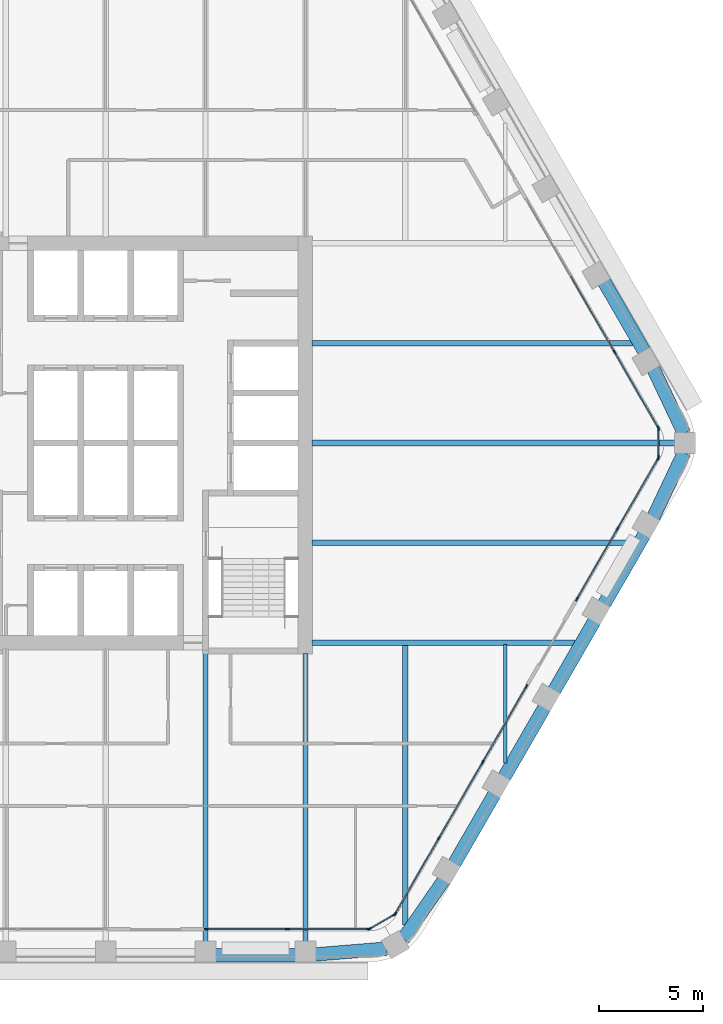
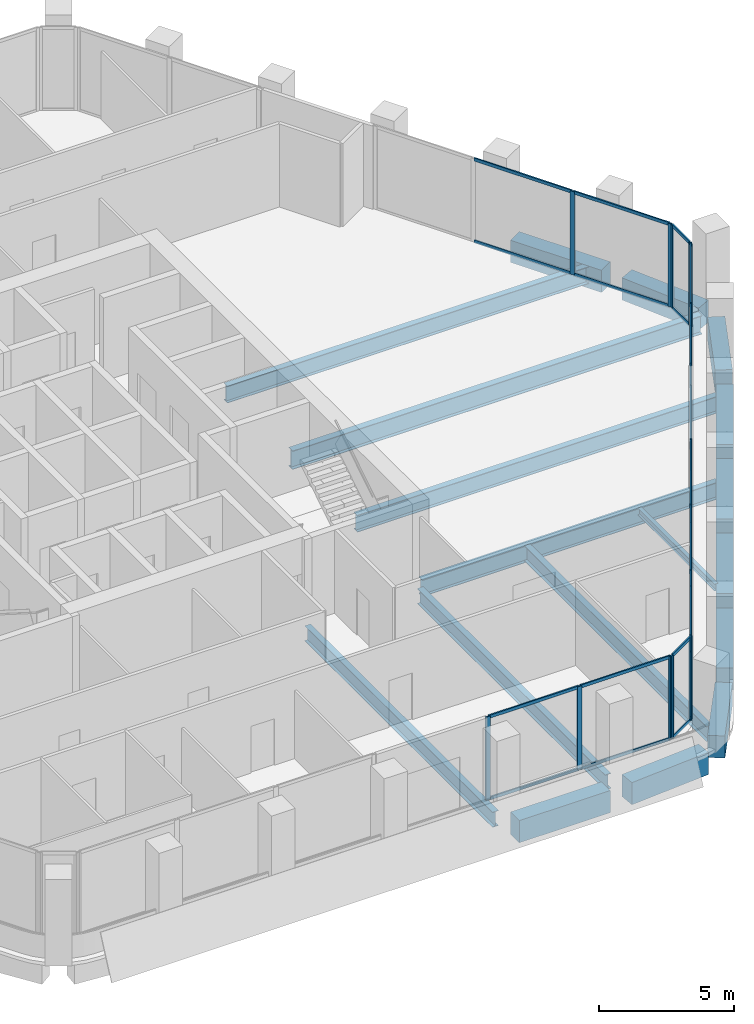
# One storey, part 4 of 15: 38 members, 18 beams, 6 elements without a shape of their own.
"""IFC4 building model written with IfcOpenShell, lengths in metres."""

from ifc_helpers import new_model, si_unit, direction, frame, origin, origin_2d, place, context, subcontext, project, spatial, rectangle, i_section, extrude, material, material_profile, profile_set, type_object, element, aggregate, save


model = new_model("IFC4")

# Units and contexts
model_context = context("Model", 3, precision=1e-05, world=origin(), true_north=direction((0.0, 1.0)))
body_context = subcontext(model_context, "Body", "Model", "MODEL_VIEW")
ifc_project = project(units=[si_unit("LENGTHUNIT", "METRE"), si_unit("AREAUNIT", "SQUARE_METRE"), si_unit("VOLUMEUNIT", "CUBIC_METRE"), si_unit("PLANEANGLEUNIT", "RADIAN"), si_unit("MASSUNIT", "GRAM", prefix="KILO")], contexts=[model_context])

# Site, building, storey
site_placement = place(None, origin())
site = spatial("IfcSite", under=ifc_project, at=site_placement, CompositionType="ELEMENT")
building_placement = place(site_placement, origin())
building = spatial("IfcBuilding", under=site, at=building_placement, Name="Kolab Exchange Tower", CompositionType="ELEMENT")
storey_placement = place(building_placement, frame((0.0, 0.0, 201.199951171875)))
storey = spatial("IfcBuildingStorey", under=building, at=storey_placement, Name="L43", CompositionType="ELEMENT", Elevation=201.199951171875)

# Beams
ifc_material_1 = material(Name="Steel S355", Category="steel")
ifc_material_profile_1 = material_profile(ifc_material_1, i_section(OverallWidth=0.1650390625, OverallDepth=0.31005859375, WebThickness=0.005859375, FlangeThickness=0.009765625, at=origin_2d()), Name="W310X39")
ifc_profile_set_1 = profile_set([ifc_material_profile_1], Name="Steel S355")
beam_type_1 = type_object("IfcBeamType", Name="FLOOR BEAM W310X39", PredefinedType="BEAM", material=ifc_profile_set_1)
beam_1_placement = place(storey_placement, frame((19.199951171875, -15.36767578125, -0.304931640625), z_axis=(0.0, 1.0, 0.0), x_axis=(-1.0, 0.0, 0.0)))
element("IfcBeam", 1, at=beam_1_placement, inside=storey, type_object=beam_type_1, Name="beam/L43/fr/022", PredefinedType="BEAM", context=body_context, shape_type="SweptSolid", body=[
    extrude(i_section(OverallWidth=0.1650390625, OverallDepth=0.31005859375, WebThickness=0.005859375, FlangeThickness=0.009765625, at=origin_2d()), origin(), (0.0, 0.0, 1.0), 5.674072265625),
])
ifc_material_profile_2 = material_profile(ifc_material_1, i_section(OverallWidth=0.25390625, OverallDepth=0.68408203125, WebThickness=0.012451171875, FlangeThickness=0.018798828125, at=origin_2d()), Name="W690X140")
ifc_profile_set_2 = profile_set([ifc_material_profile_2], Name="Steel S355")
beam_type_2 = type_object("IfcBeamType", Name="FLOOR BEAM W690X140", PredefinedType="BEAM", material=ifc_profile_set_2)
for number, where, z_axis, x_axis, name in (
    (2, (4.800048828125, -23.9814453125, -0.491943359375), (0.0, 1.0, 0.0), (-1.0, 0.0, 0.0), "beam/L43/fr/013"),
    (3, (9.60009765625, -23.9814453125, -0.491943359375), (0.0, 1.0, 0.0), (-1.0, 0.0, 0.0), "beam/L43/fr/015"),
):
    element("IfcBeam", number, at=place(storey_placement, frame(where, z_axis=z_axis, x_axis=x_axis)), inside=storey, type_object=beam_type_2, Name=name, PredefinedType="BEAM", context=body_context, shape_type="SweptSolid", body=[
        extrude(i_section(OverallWidth=0.25390625, OverallDepth=0.68408203125, WebThickness=0.012451171875, FlangeThickness=0.018798828125, at=origin_2d()), origin(), (0.0, 0.0, 1.0), 13.871337890625),
    ])
beam_2_placement = place(storey_placement, frame((14.39990234375, -23.15576171875, -0.491943359375), z_axis=(0.0, 1.0, 0.0), x_axis=(-1.0, 0.0, 0.0)))
element("IfcBeam", 4, at=beam_2_placement, inside=storey, type_object=beam_type_2, Name="beam/L43/fr/020", PredefinedType="BEAM", context=body_context, shape_type="SweptSolid", body=[
    extrude(i_section(OverallWidth=0.25390625, OverallDepth=0.68408203125, WebThickness=0.012451171875, FlangeThickness=0.018798828125, at=origin_2d()), origin(), (0.0, 0.0, 1.0), 13.462158203125),
])
ifc_material_profile_3 = material_profile(ifc_material_1, i_section(OverallWidth=0.26708984375, OverallDepth=0.761962890625, WebThickness=0.014404296875, FlangeThickness=0.021484375, at=origin_2d()), Name="W760X173")
ifc_profile_set_3 = profile_set([ifc_material_profile_3], Name="Steel S355")
beam_type_3 = type_object("IfcBeamType", Name="FLOOR BEAM W760X173", PredefinedType="BEAM", material=ifc_profile_set_3)
for number, where, z_axis, x_axis, name in (
    (5, (9.909912109375, -4.800048828125, -0.531005859375), (1.0, 0.0, 0.0), (0.0, 1.0, 0.0), "beam/L43/fr/017"),
    (6, (9.909912109375, 4.800048828125, -0.531005859375), (1.0, 0.0, 0.0), (0.0, 1.0, 0.0), "beam/L43/fr/019"),
):
    element("IfcBeam", number, at=place(storey_placement, frame(where, z_axis=z_axis, x_axis=x_axis)), inside=storey, type_object=beam_type_3, Name=name, PredefinedType="BEAM", context=body_context, shape_type="SweptSolid", body=[
        extrude(i_section(OverallWidth=0.26708984375, OverallDepth=0.761962890625, WebThickness=0.014404296875, FlangeThickness=0.021484375, at=origin_2d()), origin(), (0.0, 0.0, 1.0), 15.408203125),
    ])
ifc_material_profile_4 = material_profile(ifc_material_1, i_section(OverallWidth=0.2919921875, OverallDepth=0.840087890625, WebThickness=0.0146484375, FlangeThickness=0.021728515625, at=origin_2d()), Name="W840X193")
ifc_profile_set_4 = profile_set([ifc_material_profile_4], Name="Steel S355")
beam_type_4 = type_object("IfcBeamType", Name="FLOOR BEAM W840X193", PredefinedType="BEAM", material=ifc_profile_set_4)
beam_3_placement = place(storey_placement, frame((9.909912109375, 0.0, -0.570068359375), z_axis=(1.0, 0.0, 0.0), x_axis=(0.0, 1.0, 0.0)))
element("IfcBeam", 7, at=beam_3_placement, inside=storey, type_object=beam_type_4, Name="beam/L43/fr/018", PredefinedType="BEAM", context=body_context, shape_type="SweptSolid", body=[
    extrude(i_section(OverallWidth=0.2919921875, OverallDepth=0.840087890625, WebThickness=0.0146484375, FlangeThickness=0.021728515625, at=origin_2d()), origin(), (0.0, 0.0, 1.0), 17.466064453125),
])
ifc_material_profile_5 = material_profile(ifc_material_1, i_section(OverallWidth=0.26708984375, OverallDepth=0.761962890625, WebThickness=0.014404296875, FlangeThickness=0.021484375, at=origin_2d()), Name="W760X173")
ifc_profile_set_5 = profile_set([ifc_material_profile_5], Name="Steel S355")
beam_type_5 = type_object("IfcBeamType", Name="FLOOR GIRDER W760X173", PredefinedType="BEAM", material=ifc_profile_set_5)
beam_4_placement = place(storey_placement, frame((9.909912109375, -9.60009765625, -0.531005859375), z_axis=(1.0, 0.0, 0.0), x_axis=(0.0, 1.0, 0.0)))
element("IfcBeam", 8, at=beam_4_placement, inside=storey, type_object=beam_type_5, Name="beam/L43/gd/002", PredefinedType="BEAM", context=body_context, shape_type="SweptSolid", body=[
    extrude(i_section(OverallWidth=0.26708984375, OverallDepth=0.761962890625, WebThickness=0.014404296875, FlangeThickness=0.021484375, at=origin_2d()), origin(), (0.0, 0.0, 1.0), 12.636962890625),
])
ifc_material_2 = material(Name="Concrete C60/75", Category="concrete")
ifc_material_profile_6 = material_profile(ifc_material_2, rectangle(XDim=0.64990234375, YDim=1.0, at=origin_2d()), Name="RC650X1000")
ifc_profile_set_6 = profile_set([ifc_material_profile_6], Name="Concrete C60/75")
beam_type_6 = type_object("IfcBeamType", Name="SPANDREL BEAM 650X1000 C60/75", PredefinedType="BEAM", material=ifc_profile_set_6)
beam_5_placement = place(storey_placement, frame((23.948486328125, 7.7529296875, -0.64990234375), z_axis=(0.499996613652, -0.866027358884, 0.0), x_axis=(0.866027358884, 0.499996613652, 0.0)))
element("IfcBeam", 9, at=beam_5_placement, inside=storey, type_object=beam_type_6, Name="beam/L43/sp/F2-05", PredefinedType="BEAM", context=body_context, shape_type="SweptSolid", body=[
    extrude(rectangle(XDim=0.64990234375, YDim=1.0, at=origin_2d()), origin(), (0.0, 0.0, 1.0), 3.8798828125),
])
for number, where, z_axis, x_axis, name in (
    (10, (26.316162109375, 3.5771484375, -0.64990234375), (0.428177731975, -0.903694544545, 0.0), (0.903694544545, 0.428177731975, 0.0), "beam/L43/sp/F2-06"),
    (11, (27.791259765625, -0.4638671875, -0.64990234375), (-0.428177731975, -0.903694544545, 0.0), (0.903694544545, -0.428177731975, 0.0), "beam/L43/sp/F3-01"),
):
    element("IfcBeam", number, at=place(storey_placement, frame(where, z_axis=z_axis, x_axis=x_axis)), inside=storey, type_object=beam_type_6, Name=name, PredefinedType="BEAM", context=body_context, shape_type="SweptSolid", body=[
        extrude(rectangle(XDim=0.64990234375, YDim=1.0, at=origin_2d()), origin(), (0.0, 0.0, 1.0), 3.445068359375),
    ])
for number, where, z_axis, x_axis, name in (
    (12, (25.888427734375, -4.392822265625, -0.64990234375), (-0.499996613652, -0.866027358884, 0.0), (0.866027358884, -0.499996613652, 0.0), "beam/L43/sp/F3-02"),
    (13, (23.488525390625, -8.5498046875, -0.64990234375), (-0.499996613652, -0.866027358884, 0.0), (0.866027358884, -0.499996613652, 0.0), "beam/L43/sp/F3-03"),
):
    element("IfcBeam", number, at=place(storey_placement, frame(where, z_axis=z_axis, x_axis=x_axis)), inside=storey, type_object=beam_type_6, Name=name, PredefinedType="BEAM", context=body_context, shape_type="SweptSolid", body=[
        extrude(rectangle(XDim=0.64990234375, YDim=1.0, at=origin_2d()), origin(), (0.0, 0.0, 1.0), 3.8798828125),
    ])
beam_6_placement = place(storey_placement, frame((21.088623046875, -12.70654296875, -0.64990234375), z_axis=(-0.50001655835, -0.866015843605, 0.0), x_axis=(0.866015843605, -0.50001655835, 0.0)))
element("IfcBeam", 14, at=beam_6_placement, inside=storey, type_object=beam_type_6, Name="beam/L43/sp/F3-04", PredefinedType="BEAM", context=body_context, shape_type="SweptSolid", body=[
    extrude(rectangle(XDim=0.64990234375, YDim=1.0, at=origin_2d()), origin(), (0.0, 0.0, 1.0), 3.880126953125),
])
beam_7_placement = place(storey_placement, frame((18.6884765625, -16.863525390625, -0.64990234375), z_axis=(-0.499996613652, -0.866027358884, 0.0), x_axis=(0.866027358884, -0.499996613652, 0.0)))
element("IfcBeam", 15, at=beam_7_placement, inside=storey, type_object=beam_type_6, Name="beam/L43/sp/F3-05", PredefinedType="BEAM", context=body_context, shape_type="SweptSolid", body=[
    extrude(rectangle(XDim=0.64990234375, YDim=1.0, at=origin_2d()), origin(), (0.0, 0.0, 1.0), 3.8798828125),
])
for number, where, z_axis, x_axis, name in (
    (16, (16.256103515625, -21.001953125, -0.64990234375), (-0.568572281073, -0.822633309073, 0.0), (0.822633309073, -0.568572281073, 0.0), "beam/L43/sp/F3-06"),
    (17, (13.493896484375, -24.2998046875, -0.64990234375), (-0.996708497182, -0.081068931445, 0.0), (0.081068931445, -0.996708497182, 0.0), "beam/L43/sp/F4-01"),
):
    element("IfcBeam", number, at=place(storey_placement, frame(where, z_axis=z_axis, x_axis=x_axis)), inside=storey, type_object=beam_type_6, Name=name, PredefinedType="BEAM", context=body_context, shape_type="SweptSolid", body=[
        extrude(rectangle(XDim=0.64990234375, YDim=1.0, at=origin_2d()), origin(), (0.0, 0.0, 1.0), 3.445068359375),
    ])
beam_8_placement = place(storey_placement, frame((9.139892578125, -24.616455078125, -0.64990234375), z_axis=(-1.0, 0.0, 0.0), x_axis=(0.0, -1.0, 0.0)))
element("IfcBeam", 18, at=beam_8_placement, inside=storey, type_object=beam_type_6, Name="beam/L43/sp/F4-02", PredefinedType="BEAM", context=body_context, shape_type="SweptSolid", body=[
    extrude(rectangle(XDim=0.64990234375, YDim=1.0, at=origin_2d()), origin(), (0.0, 0.0, 1.0), 3.8798828125),
])

# Curtain wall, members
ifc_material_3 = material(Name="Aluminium EN AW-6063 T6", Category="aluminium")
curtain_wall_type = type_object("IfcCurtainWallType", Name="UNITISED UPPER MID ZONE CURTAIN WALL", PredefinedType="NOTDEFINED", material=ifc_material_3)
curtain_wall_1_placement = place(storey_placement, origin())
curtain_wall_1 = element("IfcCurtainWall", 19, at=curtain_wall_1_placement, inside=storey, type_object=curtain_wall_type, Name="cw/L43/F2-2", PredefinedType="NOTDEFINED")
ifc_material_profile_7 = material_profile(ifc_material_3, rectangle(XDim=0.06005859375, YDim=0.199951171875, at=origin_2d()), Name="RECT 60X200")
ifc_profile_set_7 = profile_set([ifc_material_profile_7], Name="Aluminium EN AW-6063 T6")
member_type_1 = type_object("IfcMemberType", Name="UNITISED UPPER MID ZONE MULLION 60 X 200", PredefinedType="MULLION", material=ifc_profile_set_7)
member_1_placement = place(storey_placement, frame((24.454345703125, 4.366943359375, 0.0), z_axis=(0.0, 0.0, 1.0), x_axis=(0.866025427826, 0.499999958358, 0.0)))
member_1 = element("IfcMember", 20, at=member_1_placement, type_object=member_type_1, Name="CW3 mullion 3", PredefinedType="MULLION", context=body_context, shape_type="SweptSolid", body=[
    extrude(rectangle(XDim=0.06005859375, YDim=0.199951171875, at=origin_2d()), origin(), (0.0, 0.0, 1.0), 3.75),
])
member_2_placement = place(storey_placement, frame((26.550537109375, 0.736083984375, 0.0), z_axis=(0.0, 0.0, 1.0), x_axis=(0.866025427826, 0.499999958358, 0.0)))
member_2 = element("IfcMember", 21, at=member_2_placement, type_object=member_type_1, Name="CW3 mullion 4", PredefinedType="MULLION", context=body_context, shape_type="SweptSolid", body=[
    extrude(rectangle(XDim=0.06005859375, YDim=0.199951171875, at=origin_2d()), origin(), (0.0, 0.0, 1.0), 3.75),
])

curtain_wall_2_placement = place(storey_placement, origin())
curtain_wall_2 = element("IfcCurtainWall", 22, at=curtain_wall_2_placement, inside=storey, type_object=curtain_wall_type, Name="cw/L43/F3-1", PredefinedType="NOTDEFINED")
member_3_placement = place(storey_placement, frame((26.550537109375, -0.736083984375, 0.0), z_axis=(0.0, 0.0, 1.0), x_axis=(0.866025440524, -0.499999936366, 0.0)))
member_3 = element("IfcMember", 23, at=member_3_placement, type_object=member_type_1, Name="CW3 mullion 1", PredefinedType="MULLION", context=body_context, shape_type="SweptSolid", body=[
    extrude(rectangle(XDim=0.06005859375, YDim=0.199951171875, at=origin_2d()), origin(), (0.0, 0.0, 1.0), 3.75),
])
member_4_placement = place(storey_placement, frame((24.5986328125, -4.116943359375, 0.0), z_axis=(0.0, 0.0, 1.0), x_axis=(0.866025440524, -0.499999936366, 0.0)))
member_4 = element("IfcMember", 24, at=member_4_placement, type_object=member_type_1, Name="CW3 mullion 2", PredefinedType="MULLION", context=body_context, shape_type="SweptSolid", body=[
    extrude(rectangle(XDim=0.06005859375, YDim=0.199951171875, at=origin_2d()), origin(), (0.0, 0.0, 1.0), 3.75),
])
member_5_placement = place(storey_placement, frame((22.646728515625, -7.497802734375, 0.0), z_axis=(0.0, 0.0, 1.0), x_axis=(0.866025440524, -0.499999936366, 0.0)))
member_5 = element("IfcMember", 25, at=member_5_placement, type_object=member_type_1, Name="CW3 mullion 3", PredefinedType="MULLION", context=body_context, shape_type="SweptSolid", body=[
    extrude(rectangle(XDim=0.06005859375, YDim=0.199951171875, at=origin_2d()), origin(), (0.0, 0.0, 1.0), 3.75),
])

curtain_wall_3_placement = place(storey_placement, origin())
curtain_wall_3 = element("IfcCurtainWall", 26, at=curtain_wall_3_placement, inside=storey, type_object=curtain_wall_type, Name="cw/L43/F3-2", PredefinedType="NOTDEFINED")
member_6_placement = place(storey_placement, frame((20.216796875, -11.706787109375, 0.0), z_axis=(0.0, 0.0, 1.0), x_axis=(0.866025393644, -0.500000017564, 0.0)))
member_6 = element("IfcMember", 27, at=member_6_placement, type_object=member_type_1, Name="CW3 mullion 1", PredefinedType="MULLION", context=body_context, shape_type="SweptSolid", body=[
    extrude(rectangle(XDim=0.06005859375, YDim=0.199951171875, at=origin_2d()), origin(), (0.0, 0.0, 1.0), 3.75),
])
member_7_placement = place(storey_placement, frame((18.120361328125, -15.337646484375, 0.0), z_axis=(0.0, 0.0, 1.0), x_axis=(0.866025393644, -0.500000017564, 0.0)))
member_7 = element("IfcMember", 28, at=member_7_placement, type_object=member_type_1, Name="CW3 mullion 2", PredefinedType="MULLION", context=body_context, shape_type="SweptSolid", body=[
    extrude(rectangle(XDim=0.06005859375, YDim=0.199951171875, at=origin_2d()), origin(), (0.0, 0.0, 1.0), 3.75),
])
member_8_placement = place(storey_placement, frame((16.009033203125, -18.99462890625, 0.0), z_axis=(0.0, 0.0, 1.0), x_axis=(0.866025393644, -0.500000017564, 0.0)))
member_8 = element("IfcMember", 29, at=member_8_placement, type_object=member_type_1, Name="CW3 mullion 3", PredefinedType="MULLION", context=body_context, shape_type="SweptSolid", body=[
    extrude(rectangle(XDim=0.06005859375, YDim=0.199951171875, at=origin_2d()), origin(), (0.0, 0.0, 1.0), 3.75),
])
member_9_placement = place(storey_placement, frame((13.91259765625, -22.62548828125, 0.0), z_axis=(0.0, 0.0, 1.0), x_axis=(0.866025393644, -0.500000017564, 0.0)))
member_9 = element("IfcMember", 30, at=member_9_placement, type_object=member_type_1, Name="CW3 mullion 4", PredefinedType="MULLION", context=body_context, shape_type="SweptSolid", body=[
    extrude(rectangle(XDim=0.06005859375, YDim=0.199951171875, at=origin_2d()), origin(), (0.0, 0.0, 1.0), 3.75),
])

curtain_wall_4_placement = place(storey_placement, origin())
curtain_wall_4 = element("IfcCurtainWall", 31, at=curtain_wall_4_placement, inside=storey, type_object=curtain_wall_type, Name="cw/L43/F4-1", PredefinedType="NOTDEFINED")
member_10_placement = place(storey_placement, frame((12.637939453125, -23.361572265625, 0.0), z_axis=(0.0, 0.0, 1.0), x_axis=(0.0, -1.0, 0.0)))
member_10 = element("IfcMember", 32, at=member_10_placement, type_object=member_type_1, Name="CW3 mullion 1", PredefinedType="MULLION", context=body_context, shape_type="SweptSolid", body=[
    extrude(rectangle(XDim=0.06005859375, YDim=0.199951171875, at=origin_2d()), origin(), (0.0, 0.0, 1.0), 3.75),
])
member_11_placement = place(storey_placement, frame((8.73388671875, -23.361572265625, 0.0), z_axis=(0.0, 0.0, 1.0), x_axis=(0.0, -1.0, 0.0)))
member_11 = element("IfcMember", 33, at=member_11_placement, type_object=member_type_1, Name="CW3 mullion 2", PredefinedType="MULLION", context=body_context, shape_type="SweptSolid", body=[
    extrude(rectangle(XDim=0.06005859375, YDim=0.199951171875, at=origin_2d()), origin(), (0.0, 0.0, 1.0), 3.75),
])
member_12_placement = place(storey_placement, frame((4.830078125, -23.361572265625, 0.0), z_axis=(0.0, 0.0, 1.0), x_axis=(0.0, -1.0, 0.0)))
member_12 = element("IfcMember", 34, at=member_12_placement, type_object=member_type_1, Name="CW3 mullion 3", PredefinedType="MULLION", context=body_context, shape_type="SweptSolid", body=[
    extrude(rectangle(XDim=0.06005859375, YDim=0.199951171875, at=origin_2d()), origin(), (0.0, 0.0, 1.0), 3.75),
])

curtain_wall_5_placement = place(storey_placement, origin())
curtain_wall_5 = element("IfcCurtainWall", 35, at=curtain_wall_5_placement, inside=storey, type_object=curtain_wall_type, Name="cw/L43/F2F3-corner", PredefinedType="NOTDEFINED")
member_13_placement = place(storey_placement, frame((26.565673828125, 0.679931640625, 0.0), z_axis=(0.0, 0.0, 1.0), x_axis=(1.0, 0.0, 0.0)))
member_13 = element("IfcMember", 36, at=member_13_placement, type_object=member_type_1, Name="CW3 mullion 1", PredefinedType="MULLION", context=body_context, shape_type="SweptSolid", body=[
    extrude(rectangle(XDim=0.06005859375, YDim=0.199951171875, at=origin_2d()), origin(), (0.0, 0.0, 1.0), 3.75),
])
member_14_placement = place(storey_placement, frame((26.565673828125, -0.679931640625, 0.0), z_axis=(0.0, 0.0, 1.0), x_axis=(1.0, 0.0, 0.0)))
member_14 = element("IfcMember", 37, at=member_14_placement, type_object=member_type_1, Name="CW3 mullion 2", PredefinedType="MULLION", context=body_context, shape_type="SweptSolid", body=[
    extrude(rectangle(XDim=0.06005859375, YDim=0.199951171875, at=origin_2d()), origin(), (0.0, 0.0, 1.0), 3.75),
])

curtain_wall_6_placement = place(storey_placement, origin())
curtain_wall_6 = element("IfcCurtainWall", 38, at=curtain_wall_6_placement, inside=storey, type_object=curtain_wall_type, Name="cw/L43/F3F4-corner", PredefinedType="NOTDEFINED")
member_15_placement = place(storey_placement, frame((13.871826171875, -22.66650390625, 0.0), z_axis=(0.0, 0.0, 1.0), x_axis=(0.50000002237, -0.866025390869, 0.0)))
member_15 = element("IfcMember", 39, at=member_15_placement, type_object=member_type_1, Name="CW3 mullion 1", PredefinedType="MULLION", context=body_context, shape_type="SweptSolid", body=[
    extrude(rectangle(XDim=0.06005859375, YDim=0.199951171875, at=origin_2d()), origin(), (0.0, 0.0, 1.0), 3.75),
])
member_16_placement = place(storey_placement, frame((12.69384765625, -23.346435546875, 0.0), z_axis=(0.0, 0.0, 1.0), x_axis=(0.50000002237, -0.866025390869, 0.0)))
member_16 = element("IfcMember", 40, at=member_16_placement, type_object=member_type_1, Name="CW3 mullion 2", PredefinedType="MULLION", context=body_context, shape_type="SweptSolid", body=[
    extrude(rectangle(XDim=0.06005859375, YDim=0.199951171875, at=origin_2d()), origin(), (0.0, 0.0, 1.0), 3.75),
])

# Member
ifc_material_profile_8 = material_profile(ifc_material_3, rectangle(XDim=0.06005859375, YDim=0.139892578125, at=origin_2d()), Name="RECT 60X140")
ifc_profile_set_8 = profile_set([ifc_material_profile_8], Name="Aluminium EN AW-6063 T6")
member_type_2 = type_object("IfcMemberType", Name="UNITISED UPPER MID ZONE TRANSOM 60 X 140", PredefinedType="USERDEFINED", material=ifc_profile_set_8)
member_17_placement = place(storey_placement, frame((22.35791015625, 7.997802734375, 0.030029296875), z_axis=(0.49999322259, -0.866029316688, 0.0), x_axis=(0.866029316688, 0.49999322259, 0.0)))
member_17 = element("IfcMember", 41, at=member_17_placement, type_object=member_type_2, Name="CW3 transom 2.1", ObjectType="TRANSOM", PredefinedType="USERDEFINED", context=body_context, shape_type="SweptSolid", body=[
    extrude(rectangle(XDim=0.06005859375, YDim=0.139892578125, at=origin_2d()), origin(), (0.0, 0.0, 1.0), 4.16259765625),
])

member_18_placement = place(storey_placement, frame((22.35791015625, 7.997802734375, 3.719970703125), z_axis=(0.49999322259, -0.866029316688, 0.0), x_axis=(0.866029316688, 0.49999322259, 0.0)))
member_18 = element("IfcMember", 42, at=member_18_placement, type_object=member_type_2, Name="CW3 transom 2.2", ObjectType="TRANSOM", PredefinedType="USERDEFINED", context=body_context, shape_type="SweptSolid", body=[
    extrude(rectangle(XDim=0.06005859375, YDim=0.139892578125, at=origin_2d()), origin(), (0.0, 0.0, 1.0), 4.16259765625),
])

member_19_placement = place(storey_placement, frame((24.46923828125, 4.3408203125, 0.030029296875), z_axis=(0.500027577057, -0.866009481578, 0.0), x_axis=(0.866009481578, 0.500027577057, 0.0)))
member_19 = element("IfcMember", 43, at=member_19_placement, type_object=member_type_2, Name="CW3 transom 3.1", ObjectType="TRANSOM", PredefinedType="USERDEFINED", context=body_context, shape_type="SweptSolid", body=[
    extrude(rectangle(XDim=0.06005859375, YDim=0.139892578125, at=origin_2d()), origin(), (0.0, 0.0, 1.0), 4.132568359375),
])

member_20_placement = place(storey_placement, frame((24.46923828125, 4.3408203125, 3.719970703125), z_axis=(0.500027577057, -0.866009481578, 0.0), x_axis=(0.866009481578, 0.500027577057, 0.0)))
member_20 = element("IfcMember", 44, at=member_20_placement, type_object=member_type_2, Name="CW3 transom 3.2", ObjectType="TRANSOM", PredefinedType="USERDEFINED", context=body_context, shape_type="SweptSolid", body=[
    extrude(rectangle(XDim=0.06005859375, YDim=0.139892578125, at=origin_2d()), origin(), (0.0, 0.0, 1.0), 4.132568359375),
])

aggregate(curtain_wall_1, [member_1, member_2, member_17, member_18, member_19, member_20])

member_21_placement = place(storey_placement, frame((26.53564453125, -0.761962890625, 0.030029296875), z_axis=(-0.499991857942, -0.866030104553, 0.0), x_axis=(0.866030104553, -0.499991857942, 0.0)))
member_21 = element("IfcMember", 45, at=member_21_placement, type_object=member_type_2, Name="CW3 transom 1.1", ObjectType="TRANSOM", PredefinedType="USERDEFINED", context=body_context, shape_type="SweptSolid", body=[
    extrude(rectangle(XDim=0.06005859375, YDim=0.139892578125, at=origin_2d()), origin(), (0.0, 0.0, 1.0), 3.84375),
])

member_22_placement = place(storey_placement, frame((26.53564453125, -0.761962890625, 3.719970703125), z_axis=(-0.499991857942, -0.866030104553, 0.0), x_axis=(0.866030104553, -0.499991857942, 0.0)))
member_22 = element("IfcMember", 46, at=member_22_placement, type_object=member_type_2, Name="CW3 transom 1.2", ObjectType="TRANSOM", PredefinedType="USERDEFINED", context=body_context, shape_type="SweptSolid", body=[
    extrude(rectangle(XDim=0.06005859375, YDim=0.139892578125, at=origin_2d()), origin(), (0.0, 0.0, 1.0), 3.84375),
])

member_23_placement = place(storey_placement, frame((24.583740234375, -4.142822265625, 0.030029296875), z_axis=(-0.500011990396, -0.866018481016, 0.0), x_axis=(0.866018481016, -0.500011990396, 0.0)))
member_23 = element("IfcMember", 47, at=member_23_placement, type_object=member_type_2, Name="CW3 transom 2.1", ObjectType="TRANSOM", PredefinedType="USERDEFINED", context=body_context, shape_type="SweptSolid", body=[
    extrude(rectangle(XDim=0.06005859375, YDim=0.139892578125, at=origin_2d()), origin(), (0.0, 0.0, 1.0), 3.84423828125),
])

member_24_placement = place(storey_placement, frame((24.583740234375, -4.142822265625, 3.719970703125), z_axis=(-0.500011990396, -0.866018481016, 0.0), x_axis=(0.866018481016, -0.500011990396, 0.0)))
member_24 = element("IfcMember", 48, at=member_24_placement, type_object=member_type_2, Name="CW3 transom 2.2", ObjectType="TRANSOM", PredefinedType="USERDEFINED", context=body_context, shape_type="SweptSolid", body=[
    extrude(rectangle(XDim=0.06005859375, YDim=0.139892578125, at=origin_2d()), origin(), (0.0, 0.0, 1.0), 3.84423828125),
])

aggregate(curtain_wall_2, [member_3, member_4, member_5, member_21, member_22, member_23, member_24])

member_25_placement = place(storey_placement, frame((20.20166015625, -11.732666015625, 0.030029296875), z_axis=(-0.500001996123, -0.866024251319, 0.0), x_axis=(0.866024251319, -0.500001996123, 0.0)))
member_25 = element("IfcMember", 49, at=member_25_placement, type_object=member_type_2, Name="CW3 transom 1.1", ObjectType="TRANSOM", PredefinedType="USERDEFINED", context=body_context, shape_type="SweptSolid", body=[
    extrude(rectangle(XDim=0.06005859375, YDim=0.139892578125, at=origin_2d()), origin(), (0.0, 0.0, 1.0), 4.1328125),
])

member_26_placement = place(storey_placement, frame((20.20166015625, -11.732666015625, 3.719970703125), z_axis=(-0.500001996123, -0.866024251319, 0.0), x_axis=(0.866024251319, -0.500001996123, 0.0)))
member_26 = element("IfcMember", 50, at=member_26_placement, type_object=member_type_2, Name="CW3 transom 1.2", ObjectType="TRANSOM", PredefinedType="USERDEFINED", context=body_context, shape_type="SweptSolid", body=[
    extrude(rectangle(XDim=0.06005859375, YDim=0.139892578125, at=origin_2d()), origin(), (0.0, 0.0, 1.0), 4.1328125),
])

member_27_placement = place(storey_placement, frame((18.10546875, -15.36376953125, 0.030029296875), z_axis=(-0.500037208726, -0.86600392025, 0.0), x_axis=(0.86600392025, -0.500037208726, 0.0)))
member_27 = element("IfcMember", 51, at=member_27_placement, type_object=member_type_2, Name="CW3 transom 2.1", ObjectType="TRANSOM", PredefinedType="USERDEFINED", context=body_context, shape_type="SweptSolid", body=[
    extrude(rectangle(XDim=0.06005859375, YDim=0.139892578125, at=origin_2d()), origin(), (0.0, 0.0, 1.0), 4.162841796875),
])

member_28_placement = place(storey_placement, frame((18.10546875, -15.36376953125, 3.719970703125), z_axis=(-0.500037208726, -0.86600392025, 0.0), x_axis=(0.86600392025, -0.500037208726, 0.0)))
member_28 = element("IfcMember", 52, at=member_28_placement, type_object=member_type_2, Name="CW3 transom 2.2", ObjectType="TRANSOM", PredefinedType="USERDEFINED", context=body_context, shape_type="SweptSolid", body=[
    extrude(rectangle(XDim=0.06005859375, YDim=0.139892578125, at=origin_2d()), origin(), (0.0, 0.0, 1.0), 4.162841796875),
])

member_29_placement = place(storey_placement, frame((15.994140625, -19.0205078125, 0.030029296875), z_axis=(-0.500001996123, -0.866024251319, 0.0), x_axis=(0.866024251319, -0.500001996123, 0.0)))
member_29 = element("IfcMember", 53, at=member_29_placement, type_object=member_type_2, Name="CW3 transom 3.1", ObjectType="TRANSOM", PredefinedType="USERDEFINED", context=body_context, shape_type="SweptSolid", body=[
    extrude(rectangle(XDim=0.06005859375, YDim=0.139892578125, at=origin_2d()), origin(), (0.0, 0.0, 1.0), 4.1328125),
])

member_30_placement = place(storey_placement, frame((15.994140625, -19.0205078125, 3.719970703125), z_axis=(-0.500001996123, -0.866024251319, 0.0), x_axis=(0.866024251319, -0.500001996123, 0.0)))
member_30 = element("IfcMember", 54, at=member_30_placement, type_object=member_type_2, Name="CW3 transom 3.2", ObjectType="TRANSOM", PredefinedType="USERDEFINED", context=body_context, shape_type="SweptSolid", body=[
    extrude(rectangle(XDim=0.06005859375, YDim=0.139892578125, at=origin_2d()), origin(), (0.0, 0.0, 1.0), 4.1328125),
])

aggregate(curtain_wall_3, [member_6, member_7, member_8, member_9, member_25, member_26, member_27, member_28, member_29, member_30])

member_31_placement = place(storey_placement, frame((12.60791015625, -23.361572265625, 0.030029296875), z_axis=(-1.0, 0.0, 0.0), x_axis=(0.0, -1.0, 0.0)))
member_31 = element("IfcMember", 55, at=member_31_placement, type_object=member_type_2, Name="CW3 transom 1.1", ObjectType="TRANSOM", PredefinedType="USERDEFINED", context=body_context, shape_type="SweptSolid", body=[
    extrude(rectangle(XDim=0.06005859375, YDim=0.139892578125, at=origin_2d()), origin(), (0.0, 0.0, 1.0), 3.843994140625),
])

member_32_placement = place(storey_placement, frame((12.60791015625, -23.361572265625, 3.719970703125), z_axis=(-1.0, 0.0, 0.0), x_axis=(0.0, -1.0, 0.0)))
member_32 = element("IfcMember", 56, at=member_32_placement, type_object=member_type_2, Name="CW3 transom 1.2", ObjectType="TRANSOM", PredefinedType="USERDEFINED", context=body_context, shape_type="SweptSolid", body=[
    extrude(rectangle(XDim=0.06005859375, YDim=0.139892578125, at=origin_2d()), origin(), (0.0, 0.0, 1.0), 3.843994140625),
])

member_33_placement = place(storey_placement, frame((8.703857421875, -23.361572265625, 0.030029296875), z_axis=(-1.0, 0.0, 0.0), x_axis=(0.0, -1.0, 0.0)))
member_33 = element("IfcMember", 57, at=member_33_placement, type_object=member_type_2, Name="CW3 transom 2.1", ObjectType="TRANSOM", PredefinedType="USERDEFINED", context=body_context, shape_type="SweptSolid", body=[
    extrude(rectangle(XDim=0.06005859375, YDim=0.139892578125, at=origin_2d()), origin(), (0.0, 0.0, 1.0), 3.84375),
])

member_34_placement = place(storey_placement, frame((8.703857421875, -23.361572265625, 3.719970703125), z_axis=(-1.0, 0.0, 0.0), x_axis=(0.0, -1.0, 0.0)))
member_34 = element("IfcMember", 58, at=member_34_placement, type_object=member_type_2, Name="CW3 transom 2.2", ObjectType="TRANSOM", PredefinedType="USERDEFINED", context=body_context, shape_type="SweptSolid", body=[
    extrude(rectangle(XDim=0.06005859375, YDim=0.139892578125, at=origin_2d()), origin(), (0.0, 0.0, 1.0), 3.84375),
])

aggregate(curtain_wall_4, [member_10, member_11, member_12, member_31, member_32, member_33, member_34])

member_35_placement = place(storey_placement, frame((26.565673828125, 0.64990234375, 0.030029296875), z_axis=(0.0, -1.0, 0.0), x_axis=(1.0, 0.0, 0.0)))
member_35 = element("IfcMember", 59, at=member_35_placement, type_object=member_type_2, Name="CW3 transom 1.1", ObjectType="TRANSOM", PredefinedType="USERDEFINED", context=body_context, shape_type="SweptSolid", body=[
    extrude(rectangle(XDim=0.06005859375, YDim=0.139892578125, at=origin_2d()), origin(), (0.0, 0.0, 1.0), 1.2998046875),
])

member_36_placement = place(storey_placement, frame((26.565673828125, 0.64990234375, 3.719970703125), z_axis=(0.0, -1.0, 0.0), x_axis=(1.0, 0.0, 0.0)))
member_36 = element("IfcMember", 60, at=member_36_placement, type_object=member_type_2, Name="CW3 transom 1.2", ObjectType="TRANSOM", PredefinedType="USERDEFINED", context=body_context, shape_type="SweptSolid", body=[
    extrude(rectangle(XDim=0.06005859375, YDim=0.139892578125, at=origin_2d()), origin(), (0.0, 0.0, 1.0), 1.2998046875),
])

aggregate(curtain_wall_5, [member_13, member_14, member_35, member_36])

member_37_placement = place(storey_placement, frame((13.845703125, -22.681640625, 0.030029296875), z_axis=(-0.86603858612, -0.49997716683, 0.0), x_axis=(0.49997716683, -0.86603858612, 0.0)))
member_37 = element("IfcMember", 61, at=member_37_placement, type_object=member_type_2, Name="CW3 transom 1.1", ObjectType="TRANSOM", PredefinedType="USERDEFINED", context=body_context, shape_type="SweptSolid", body=[
    extrude(rectangle(XDim=0.06005859375, YDim=0.139892578125, at=origin_2d()), origin(), (0.0, 0.0, 1.0), 1.2998046875),
])

member_38_placement = place(storey_placement, frame((13.845703125, -22.681640625, 3.719970703125), z_axis=(-0.86603858612, -0.49997716683, 0.0), x_axis=(0.49997716683, -0.86603858612, 0.0)))
member_38 = element("IfcMember", 62, at=member_38_placement, type_object=member_type_2, Name="CW3 transom 1.2", ObjectType="TRANSOM", PredefinedType="USERDEFINED", context=body_context, shape_type="SweptSolid", body=[
    extrude(rectangle(XDim=0.06005859375, YDim=0.139892578125, at=origin_2d()), origin(), (0.0, 0.0, 1.0), 1.2998046875),
])

aggregate(curtain_wall_6, [member_15, member_16, member_37, member_38])

save(model, "model.ifc")
